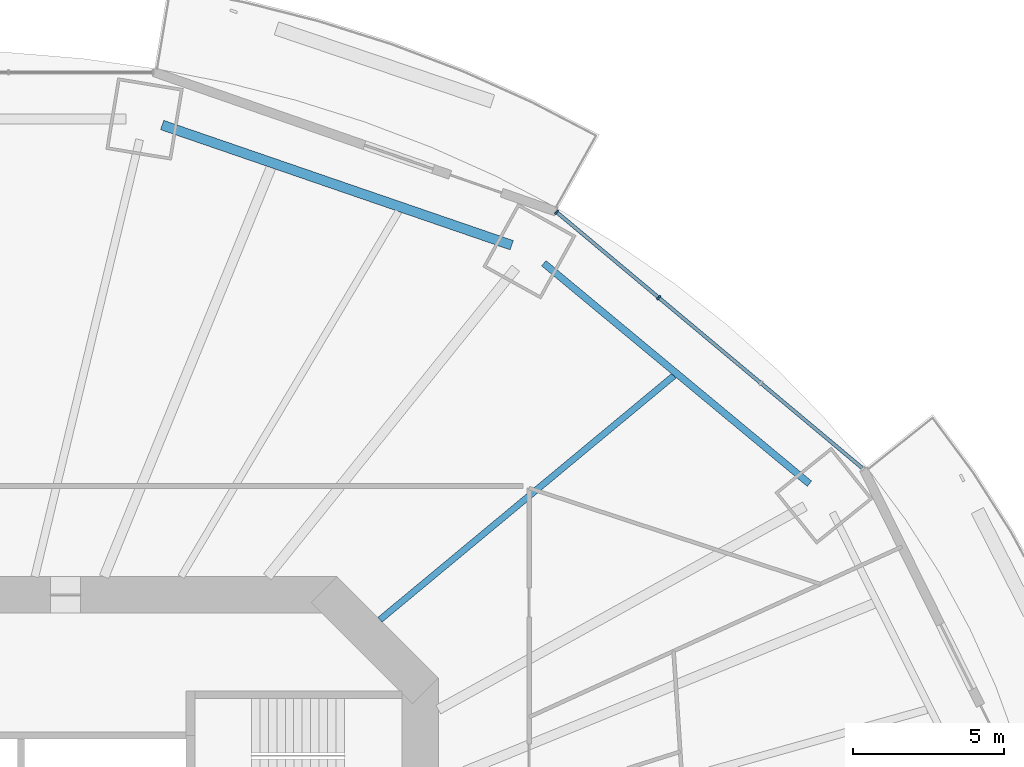
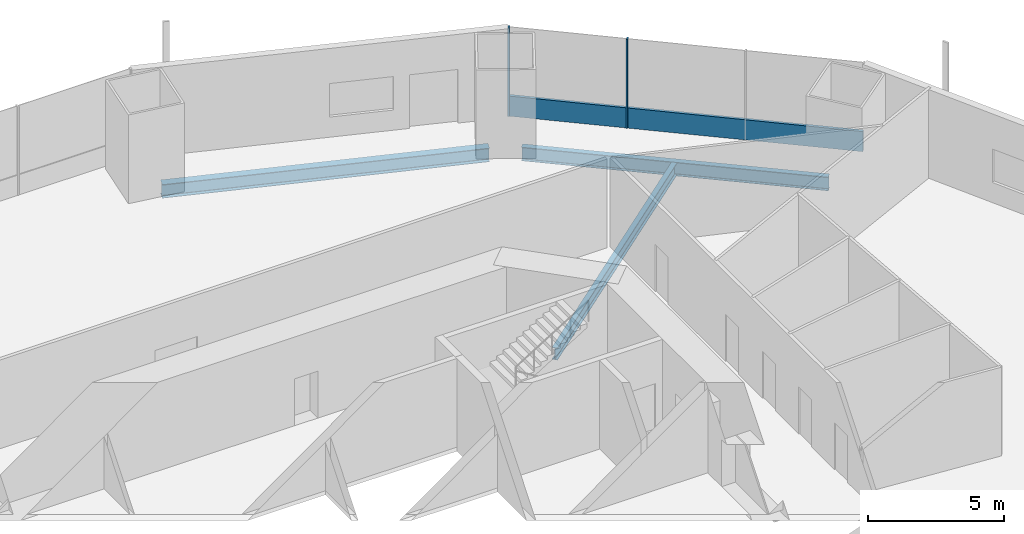
# One storey, part 10 of 23: 3 beams, 3 members, 1 element without a shape of its own.
"""IFC4 building model written with IfcOpenShell, lengths in metres."""

import ifcopenshell
import ifcopenshell.guid

model = None  # the IFC model being written
_history = None  # IfcOwnerHistory: only IFC2X3 demands one
_inside = {}  # id of a spatial element -> (the spatial element, [elements in it])
_under = {}  # id of a project, library or spatial element -> (it, [spatial elements below it])
_declared = {}  # id of a project -> (the project, [libraries it declares])
_typed = {}  # id of a type object -> (the type object, [elements of that type])
_made_of = {}  # id of a material, layer set ... -> (it, [elements and type objects made of it])


def new_model(schema):
    """Start an empty IFC model of exactly this schema.

    Asked for "IFC4X3", IfcOpenShell would pick the latest addendum, in which some entities
    have other attributes; the version numbers below select the first issue.
    IFC2X3 requires an IfcOwnerHistory on every rooted entity: one is made here for all.
    """
    global model, _history
    if schema == "IFC4X3":
        model = ifcopenshell.file(schema_version=(4, 3, 0, 0))
    else:
        model = ifcopenshell.file(schema=schema)
    _inside.clear()
    _under.clear()
    _declared.clear()
    _typed.clear()
    _made_of.clear()
    _history = None
    if model.schema == "IFC2X3":
        org = make("IfcOrganization", Name="unknown")
        user = make(
            "IfcPersonAndOrganization",
            ThePerson=make("IfcPerson", FamilyName="unknown"),
            TheOrganization=org,
        )
        app = make(
            "IfcApplication",
            ApplicationDeveloper=org,
            Version="unknown",
            ApplicationFullName="unknown",
            ApplicationIdentifier="unknown",
        )
        _history = make(
            "IfcOwnerHistory",
            OwningUser=user,
            OwningApplication=app,
            ChangeAction="ADDED",
            CreationDate=0,
        )
    return model


def make(cls, **values):
    """One entity of the class cls with the attributes given. An attribute that is None is left unset."""
    return model.create_entity(
        cls, **{name: value for name, value in values.items() if value is not None}
    )


def rooted(cls, **values):
    """An entity with a GlobalId (a new one), such as an element, a storey or a relation."""
    return make(cls, GlobalId=ifcopenshell.guid.new(), OwnerHistory=_history, **values)


def si_unit(unit_type, name, prefix=None):
    """IfcSIUnit, for example si_unit("LENGTHUNIT", "METRE", prefix="MILLI")."""
    return make("IfcSIUnit", UnitType=unit_type, Prefix=prefix, Name=name)


def assignment(units):
    """IfcUnitAssignment: the units of a project."""
    return None if units is None else make("IfcUnitAssignment", Units=units)


def point(xyz):
    """IfcCartesianPoint."""
    return None if xyz is None else make("IfcCartesianPoint", Coordinates=xyz)


def direction(xyz):
    """IfcDirection."""
    return None if xyz is None else make("IfcDirection", DirectionRatios=xyz)


def frame(location, z_axis=None, x_axis=None):
    """IfcAxis2Placement3D, a coordinate frame: its origin and axes. An axis left out is left unset."""
    return make(
        "IfcAxis2Placement3D",
        Location=point(location),
        Axis=direction(z_axis),
        RefDirection=direction(x_axis),
    )


def frame_2d(location, x_axis=None):
    """IfcAxis2Placement2D, a coordinate frame in the plane: its origin and x axis."""
    return make(
        "IfcAxis2Placement2D", Location=point(location), RefDirection=direction(x_axis)
    )


def origin():
    """The frame at (0, 0, 0) with its axes left unset."""
    return frame((0.0, 0.0, 0.0))


def origin_2d():
    """The frame at (0, 0) in the plane with its x axis left unset."""
    return frame_2d((0.0, 0.0))


def place(relative_to, where):
    """IfcLocalPlacement: puts the frame where relative to a parent placement (None: the world)."""
    return make(
        "IfcLocalPlacement", PlacementRelTo=relative_to, RelativePlacement=where
    )


def context(
    kind, dimensions, precision=None, world=None, true_north=None, identifier=None
):
    """IfcGeometricRepresentationContext, for example the 3D "Model" context."""
    return make(
        "IfcGeometricRepresentationContext",
        ContextIdentifier=identifier,
        ContextType=kind,
        CoordinateSpaceDimension=dimensions,
        Precision=precision,
        WorldCoordinateSystem=world,
        TrueNorth=true_north,
    )


def subcontext(parent, identifier, kind, view, scale=None):
    """IfcGeometricRepresentationSubContext, for example "Body" below "Model"."""
    return make(
        "IfcGeometricRepresentationSubContext",
        ContextIdentifier=identifier,
        ContextType=kind,
        ParentContext=parent,
        TargetScale=scale,
        TargetView=view,
    )


def project(units=None, contexts=None):
    """IfcProject with its units and contexts."""
    return rooted(
        "IfcProject",
        Name="project",
        RepresentationContexts=contexts,
        UnitsInContext=assignment(units),
    )


def spatial(cls, under=None, at=None, **own):
    """A site, building, storey or space (cls), placed at a placement, below another one or the project."""
    s = rooted(cls, ObjectPlacement=at, **own)
    if under is not None:
        _under.setdefault(under.id(), (under, []))[1].append(s)
    return s


def profile(cls, at=None, kind="AREA", **sizes):
    """A parametric profile (cls). Its sizes go by their IFC names, for example OverallWidth=200.0."""
    return make(cls, ProfileType=kind, Position=at, **sizes)


def rectangle(**sizes):
    """IfcRectangleProfileDef."""
    return profile("IfcRectangleProfileDef", **sizes)


def i_section(**sizes):
    """IfcIShapeProfileDef."""
    return profile("IfcIShapeProfileDef", **sizes)


def extrude(swept, where, along, depth):
    """IfcExtrudedAreaSolid: the profile swept, set in the frame where, extruded along a direction by depth."""
    return make(
        "IfcExtrudedAreaSolid",
        SweptArea=swept,
        Position=where,
        ExtrudedDirection=direction(along),
        Depth=depth,
    )


def shape(context_of_items, identifier, shape_type, items):
    """IfcShapeRepresentation: the items that make up one representation, for example the "Body"."""
    return make(
        "IfcShapeRepresentation",
        ContextOfItems=context_of_items,
        RepresentationIdentifier=identifier,
        RepresentationType=shape_type,
        Items=items,
    )


def material(Name=None, Category=None):
    """IfcMaterial."""
    return make("IfcMaterial", Name=Name, Category=Category)


def material_profile(
    of_material, cross_section, Name=None, Category=None, Priority=None
):
    """IfcMaterialProfile: a cross section and its material."""
    return make(
        "IfcMaterialProfile",
        Name=Name,
        Material=of_material,
        Profile=cross_section,
        Priority=Priority,
        Category=Category,
    )


def profile_set(profiles, Name=None, composite=None):
    """IfcMaterialProfileSet."""
    return make(
        "IfcMaterialProfileSet",
        Name=Name,
        MaterialProfiles=profiles,
        CompositeProfile=composite,
    )


def made_of(thing, what):
    """Note that an element or type object is made of a material, layer set ...; save() writes the relation."""
    if what is not None:
        _made_of.setdefault(what.id(), (what, []))[1].append(thing)
    return thing


def type_object(cls, material=None, **own):
    """A type object (cls), such as IfcWallType, which elements share."""
    return made_of(rooted(cls, **own), material)


def element(
    cls,
    number,
    at=None,
    inside=None,
    cuts=None,
    type_object=None,
    material=None,
    context=None,
    identifier="Body",
    shape_type=None,
    held_by="IfcProductDefinitionShape",
    body=None,
    shapes=None,
    **own,
):
    """One element of the class cls, such as IfcWall. Its Tag is "e" and its number.

    at: its placement. inside: the storey or other place that contains it. cuts: it is an
    opening in that element (IfcRelVoidsElement). A single representation is given by context,
    identifier, shape_type and body (its items); several are given by shapes. held_by: the class
    of the entity that holds the representations. save() writes the other relations.
    """
    e = rooted(cls, Tag="e%d" % number, ObjectPlacement=at, **own)
    if body is not None:
        shapes = [shape(context, identifier, shape_type, body)]
    if shapes is not None:
        e.Representation = make(held_by, Representations=shapes)
    if inside is not None:
        _inside.setdefault(inside.id(), (inside, []))[1].append(e)
    if cuts is not None:
        rooted(
            "IfcRelVoidsElement", RelatingBuildingElement=cuts, RelatedOpeningElement=e
        )
    if type_object is not None:
        _typed.setdefault(type_object.id(), (type_object, []))[1].append(e)
    return made_of(e, material)


def aggregate(whole, parts):
    """IfcRelAggregates: a whole, such as a stair, and the parts it consists of."""
    return rooted("IfcRelAggregates", RelatingObject=whole, RelatedObjects=parts)


def save(model, path):
    """Write the relations noted so far, then the file.

    IfcRelAggregates (storeys below a building ...), IfcRelContainedInSpatialStructure (elements
    in a storey), IfcRelDefinesByType, IfcRelAssociatesMaterial and IfcRelDeclares: one each for
    every whole, place, type object, material and project.
    """
    for whole, parts in _under.values():
        aggregate(whole, parts)
    for where, things in _inside.values():
        rooted(
            "IfcRelContainedInSpatialStructure",
            RelatedElements=things,
            RelatingStructure=where,
        )
    for kind, things in _typed.values():
        rooted("IfcRelDefinesByType", RelatedObjects=things, RelatingType=kind)
    for what, things in _made_of.values():
        rooted("IfcRelAssociatesMaterial", RelatedObjects=things, RelatingMaterial=what)
    for by, libraries in _declared.values():
        rooted("IfcRelDeclares", RelatingContext=by, RelatedDefinitions=libraries)
    model.write(path)


model = new_model("IFC4")

# Units and contexts
model_context = context("Model", 3, precision=1e-05, world=origin(), true_north=direction((0.0, 1.0)))
body_context = subcontext(model_context, "Body", "Model", "MODEL_VIEW")
ifc_project = project(units=[si_unit("LENGTHUNIT", "METRE"), si_unit("AREAUNIT", "SQUARE_METRE"), si_unit("VOLUMEUNIT", "CUBIC_METRE"), si_unit("PLANEANGLEUNIT", "RADIAN"), si_unit("MASSUNIT", "GRAM", prefix="KILO")], contexts=[model_context])

# Site, building, storey
site_placement = place(None, origin())
site = spatial("IfcSite", under=ifc_project, at=site_placement, CompositionType="ELEMENT")
building_placement = place(site_placement, origin())
building = spatial("IfcBuilding", under=site, at=building_placement, Name="Marenthal Gate Tower", CompositionType="ELEMENT")
storey_placement = place(building_placement, frame((0.0, 0.0, 41.300048828125)))
storey = spatial("IfcBuildingStorey", under=building, at=storey_placement, Name="L06", CompositionType="ELEMENT", Elevation=41.300048828125)

# Curtain wall, members
ifc_material_1 = material(Name="Aluminium and glass", Category="aluminium")
curtain_wall_type = type_object("IfcCurtainWallType", Name="Curtain wall typical low", PredefinedType="NOTDEFINED", material=ifc_material_1)
curtain_wall_placement = place(storey_placement, origin())
curtain_wall = element("IfcCurtainWall", 1, at=curtain_wall_placement, inside=storey, type_object=curtain_wall_type, Name="Curtain wall L06 bay 2", PredefinedType="NOTDEFINED")
ifc_material_2 = material(Name="Aluminium", Category="aluminium")
ifc_material_profile_1 = material_profile(ifc_material_2, rectangle(XDim=0.159912109375, YDim=0.06005859375, at=origin_2d()), Name="60x160 aluminium mullion")
ifc_profile_set_1 = profile_set([ifc_material_profile_1], Name="Aluminium")
member_type_1 = type_object("IfcMemberType", Name="Mullion 60x160 typical low", PredefinedType="MULLION", material=ifc_profile_set_1)
member_1_placement = place(storey_placement, frame((23.888671875, 22.829345703125, 0.0), z_axis=(0.0, 0.0, 1.0), x_axis=(-0.641982192245, -0.76671954771, 0.0)))
member_1 = element("IfcMember", 2, at=member_1_placement, type_object=member_type_1, Name="Mullion L06 bay 2.3", PredefinedType="MULLION", context=body_context, shape_type="SweptSolid", body=[
    extrude(rectangle(XDim=0.159912109375, YDim=0.06005859375, at=origin_2d()), origin(), (0.0, 0.0, 1.0), 3.969970703125),
])
member_2_placement = place(storey_placement, frame((20.512451171875, 25.656494140625, 0.0), z_axis=(0.0, 0.0, 1.0), x_axis=(-0.641982192245, -0.76671954771, 0.0)))
member_2 = element("IfcMember", 3, at=member_2_placement, type_object=member_type_1, Name="Mullion L06 bay 2.4", PredefinedType="MULLION", context=body_context, shape_type="SweptSolid", body=[
    extrude(rectangle(XDim=0.159912109375, YDim=0.06005859375, at=origin_2d()), origin(), (0.0, 0.0, 1.0), 3.969970703125),
])
ifc_material_3 = material(Name="Aluminium", Category="aluminium")
ifc_material_profile_2 = material_profile(ifc_material_3, rectangle(XDim=0.1201171875, YDim=0.89990234375, at=origin_2d()), Name="120x900 aluminium transom")
ifc_profile_set_2 = profile_set([ifc_material_profile_2], Name="Aluminium")
member_type_2 = type_object("IfcMemberType", Name="Transom 120x900 typical low", PredefinedType="USERDEFINED", material=ifc_profile_set_2)
member_3_placement = place(storey_placement, frame((30.61865234375, 17.194580078125, 0.449951171875), z_axis=(-0.766726434385, 0.641973967397, 0.0), x_axis=(-0.641973967397, -0.766726434385, 0.0)))
member_3 = element("IfcMember", 4, at=member_3_placement, type_object=member_type_2, Name="Transom L06 bay 2", ObjectType="TRANSOM", PredefinedType="USERDEFINED", context=body_context, shape_type="SweptSolid", body=[
    extrude(rectangle(XDim=0.1201171875, YDim=0.89990234375, at=origin_2d()), origin(), (0.0, 0.0, 1.0), 13.151123046875),
])
aggregate(curtain_wall, [member_1, member_2, member_3])

# Beams
ifc_material_4 = material(Name="Steel S355", Category="steel")
ifc_material_profile_3 = material_profile(ifc_material_4, i_section(OverallWidth=0.2119140625, OverallDepth=0.5439453125, WebThickness=0.01318359375, FlangeThickness=0.021240234375, FilletRadius=0.0126953125, at=origin_2d()), Name="W530X123")
ifc_profile_set_3 = profile_set([ifc_material_profile_3], Name="Steel S355")
beam_type_1 = type_object("IfcBeamType", Name="W530X123 beam", PredefinedType="BEAM", material=ifc_profile_set_3)
beam_1_placement = place(storey_placement, frame((24.3916015625, 20.245849609375, -0.4521484375), z_axis=(-0.769466511284, -0.638687159737, 0.0), x_axis=(0.638687159737, -0.769466511284, 0.0)))
element("IfcBeam", 5, at=beam_1_placement, inside=storey, type_object=beam_type_1, Name="BM-L06-19", PredefinedType="BEAM", context=body_context, shape_type="SweptSolid", body=[
    extrude(i_section(OverallWidth=0.2119140625, OverallDepth=0.5439453125, WebThickness=0.01318359375, FlangeThickness=0.021240234375, FilletRadius=0.0126953125, at=origin_2d()), origin(), (0.0, 0.0, 1.0), 12.6328125),
])
ifc_material_5 = material(Name="Steel S355", Category="steel")
ifc_material_profile_4 = material_profile(ifc_material_5, i_section(OverallWidth=0.22900390625, OverallDepth=0.612060546875, WebThickness=0.011962890625, FlangeThickness=0.01953125, FilletRadius=0.0126953125, at=origin_2d()), Name="W610X125")
ifc_profile_set_4 = profile_set([ifc_material_profile_4], Name="Steel S355")
beam_type_2 = type_object("IfcBeamType", Name="W610X125 beam", PredefinedType="BEAM", material=ifc_profile_set_4)
beam_2_placement = place(storey_placement, frame((28.871826171875, 16.67578125, -0.486083984375), z_axis=(-0.769467989353, 0.63868537901, 0.0), x_axis=(-0.63868537901, -0.769467989353, 0.0)))
element("IfcBeam", 6, at=beam_2_placement, inside=storey, type_object=beam_type_2, Name="BM-L06-42", PredefinedType="BEAM", context=body_context, shape_type="SweptSolid", body=[
    extrude(i_section(OverallWidth=0.22900390625, OverallDepth=0.612060546875, WebThickness=0.011962890625, FlangeThickness=0.01953125, FilletRadius=0.0126953125, at=origin_2d()), origin(), (0.0, 0.0, 1.0), 11.415283203125),
])
ifc_material_6 = material(Name="Steel S355", Category="steel")
ifc_material_profile_5 = material_profile(ifc_material_6, i_section(OverallWidth=0.324951171875, OverallDepth=0.612060546875, WebThickness=0.0126953125, FlangeThickness=0.01904296875, FilletRadius=0.0126953125, at=origin_2d()), Name="W610X155")
ifc_profile_set_5 = profile_set([ifc_material_profile_5], Name="Steel S355")
beam_type_3 = type_object("IfcBeamType", Name="W610X155 beam", PredefinedType="BEAM", material=ifc_profile_set_5)
beam_3_placement = place(storey_placement, frame((19.028076171875, 24.562744140625, -0.486083984375), z_axis=(-0.945669328234, 0.325130007287, 0.0), x_axis=(-0.325130007287, -0.945669328234, 0.0)))
element("IfcBeam", 7, at=beam_3_placement, inside=storey, type_object=beam_type_3, Name="BM-L06-43", PredefinedType="BEAM", context=body_context, shape_type="SweptSolid", body=[
    extrude(i_section(OverallWidth=0.324951171875, OverallDepth=0.612060546875, WebThickness=0.0126953125, FlangeThickness=0.01904296875, FilletRadius=0.0126953125, at=origin_2d()), origin(), (0.0, 0.0, 1.0), 12.22314453125),
])

save(model, "model.ifc")
